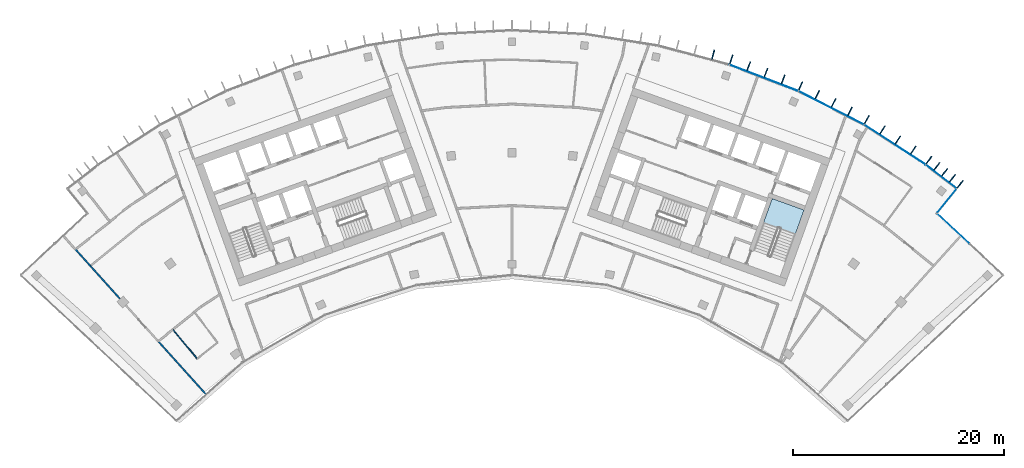
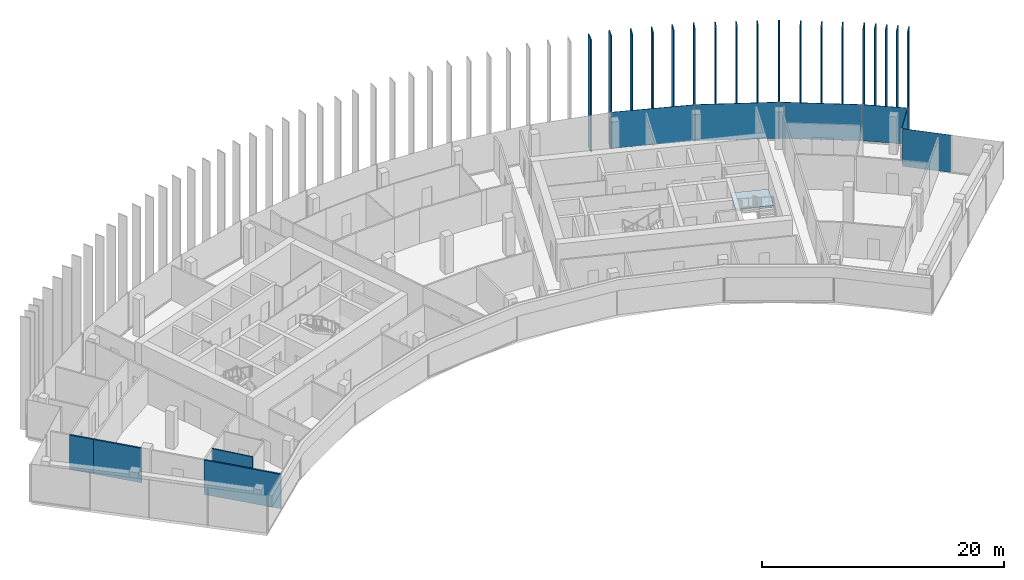
# One storey, part 12 of 18: 24 plates, 4 walls, 1 slab, 4 elements without a shape of their own.
"""IFC4 building model written with IfcOpenShell, lengths in metres."""

from ifc_helpers import new_model, si_unit, direction, frame, frame_2d, origin, origin_2d, place, context, subcontext, project, spatial, polyline, rectangle, outline, extrude, material, layer, layer_set, type_object, element, aggregate, save


model = new_model("IFC4")

# Units and contexts
model_context = context("Model", 3, precision=1e-05, world=origin(), true_north=direction((0.0, 1.0)))
body_context = subcontext(model_context, "Body", "Model", "MODEL_VIEW")
ifc_project = project(units=[si_unit("LENGTHUNIT", "METRE"), si_unit("AREAUNIT", "SQUARE_METRE"), si_unit("VOLUMEUNIT", "CUBIC_METRE"), si_unit("PLANEANGLEUNIT", "RADIAN"), si_unit("MASSUNIT", "GRAM", prefix="KILO")], contexts=[model_context])

# Site, building, storey
site_placement = place(None, origin())
site = spatial("IfcSite", under=ifc_project, at=site_placement, CompositionType="ELEMENT")
building_placement = place(site_placement, origin())
building = spatial("IfcBuilding", under=site, at=building_placement, Name="Stone Belt Terrace Tower", CompositionType="ELEMENT")
storey_placement = place(building_placement, frame((0.0, 0.0, 269.39990234375)))
storey = spatial("IfcBuildingStorey", under=building, at=storey_placement, Name="L65", CompositionType="ELEMENT", Elevation=269.39990234375)

# Curtain wall, plates
ifc_material_1 = material(Name="Aluminium 6063-T6 anodised frame", Category="aluminium")
ifc_layer_1 = layer(ifc_material_1, 0.14990234375)
ifc_layer_set_1 = layer_set([ifc_layer_1], Name="CW-A unitised convex-face curtain wall")
curtain_wall_type_1 = type_object("IfcCurtainWallType", Name="CW-A unitised convex-face curtain wall", PredefinedType="NOTDEFINED", material=ifc_layer_set_1)
curtain_wall_1_placement = place(storey_placement, origin())
curtain_wall_1 = element("IfcCurtainWall", 1, at=curtain_wall_1_placement, inside=storey, type_object=curtain_wall_type_1, Name="CW-A convex face L65", PredefinedType="NOTDEFINED")
ifc_material_2 = material(Name="Clear double glazed unit")
ifc_layer_2 = layer(ifc_material_2, 0.031982421875)
ifc_layer_set_2 = layer_set([ifc_layer_2], Name="CW-A glass panel 32")
plate_type_1 = type_object("IfcPlateType", Name="CW-A glass panel 32", PredefinedType="CURTAIN_PANEL", material=ifc_layer_set_2)
plate_1_placement = place(storey_placement, frame((40.583251953125, 52.744140625, 0.14013671875), z_axis=(0.0, 0.0, 1.0), x_axis=(-0.792693871824, 0.60961990254, 0.0)))
plate_1 = element("IfcPlate", 2, at=plate_1_placement, type_object=plate_type_1, Name="CW-A panel 1.1", PredefinedType="CURTAIN_PANEL", context=body_context, shape_type="SweptSolid", body=[
    extrude(rectangle(XDim=3.597900390625, YDim=0.031982421875, at=origin_2d()), origin(), (0.0, 0.0, 1.0), 3.659912109375),
])
plate_2_placement = place(storey_placement, frame((36.209716796875, 55.758056640625, 0.14013671875), z_axis=(0.0, 0.0, 1.0), x_axis=(-0.838670567945, 0.544639035015, 0.0)))
plate_2 = element("IfcPlate", 3, at=plate_2_placement, type_object=plate_type_1, Name="CW-A panel 2.1", PredefinedType="CURTAIN_PANEL", context=body_context, shape_type="SweptSolid", body=[
    extrude(rectangle(XDim=6.900634765625, YDim=0.031982421875, at=origin_2d()), origin(), (0.0, 0.0, 1.0), 3.659912109375),
])
plate_3_placement = place(storey_placement, frame((30.18310546875, 59.237548828125, 0.14013671875), z_axis=(0.0, 0.0, 1.0), x_axis=(-0.891006524188, 0.45399049974, 0.0)))
plate_3 = element("IfcPlate", 4, at=plate_3_placement, type_object=plate_type_1, Name="CW-A panel 3.1", PredefinedType="CURTAIN_PANEL", context=body_context, shape_type="SweptSolid", body=[
    extrude(rectangle(XDim=6.90087890625, YDim=0.031982421875, at=origin_2d()), origin(), (0.0, 0.0, 1.0), 3.659912109375),
])
plate_4_placement = place(storey_placement, frame((23.82568359375, 62.068115234375, 0.14013671875), z_axis=(0.0, 0.0, 1.0), x_axis=(-0.933580426497, 0.358367949545, 0.0)))
plate_4 = element("IfcPlate", 5, at=plate_4_placement, type_object=plate_type_1, Name="CW-A panel 4.1", PredefinedType="CURTAIN_PANEL", context=body_context, shape_type="SweptSolid", body=[
    extrude(rectangle(XDim=6.90087890625, YDim=0.031982421875, at=origin_2d()), origin(), (0.0, 0.0, 1.0), 3.659912109375),
])
aggregate(curtain_wall_1, [plate_1, plate_2, plate_3, plate_4])

# Curtain wall, plate
ifc_layer_3 = layer(ifc_material_1, 0.14990234375)
ifc_layer_set_3 = layer_set([ifc_layer_3], Name="CW-C stick curtain wall, horn ends and notches")
curtain_wall_type_2 = type_object("IfcCurtainWallType", Name="CW-C stick curtain wall, horn ends and notches", PredefinedType="NOTDEFINED", material=ifc_layer_set_3)
curtain_wall_2_placement = place(storey_placement, origin())
curtain_wall_2 = element("IfcCurtainWall", 6, at=curtain_wall_2_placement, inside=storey, type_object=curtain_wall_type_2, Name="CW-C notch face L65", PredefinedType="NOTDEFINED")
ifc_layer_4 = layer(ifc_material_2, 0.028076171875)
ifc_layer_set_4 = layer_set([ifc_layer_4], Name="CW-C glass panel 28")
plate_type_2 = type_object("IfcPlateType", Name="CW-C glass panel 28", PredefinedType="CURTAIN_PANEL", material=ifc_layer_set_4)
plate_5_placement = place(storey_placement, frame((41.731201171875, 47.814208984375, 0.0), z_axis=(0.0, 0.0, 1.0), x_axis=(-0.731339333871, 0.682013767261, 0.0)))
plate_5 = element("IfcPlate", 7, at=plate_5_placement, type_object=plate_type_2, Name="CW-C panel 2.1", PredefinedType="CURTAIN_PANEL", context=body_context, shape_type="SweptSolid", body=[
    extrude(rectangle(XDim=4.12060546875, YDim=0.028076171875, at=origin_2d()), origin(), (0.0, 0.0, 1.0), 3.800048828125),
])
aggregate(curtain_wall_2, [plate_5])

curtain_wall_3_placement = place(storey_placement, origin())
curtain_wall_3 = element("IfcCurtainWall", 8, at=curtain_wall_3_placement, inside=storey, type_object=curtain_wall_type_2, Name="CW-C notch face L65", PredefinedType="NOTDEFINED")
plate_6_placement = place(storey_placement, frame((41.119140625, 50.43505859375, 0.1201171875), z_axis=(0.0, 0.0, 1.0), x_axis=(0.631001485542, 0.775781622136, 0.0)))
plate_6 = element("IfcPlate", 9, at=plate_6_placement, type_object=plate_type_2, Name="CW-C panel 1.1", PredefinedType="CURTAIN_PANEL", context=body_context, shape_type="SweptSolid", body=[
    extrude(rectangle(XDim=2.859130859375, YDim=0.028076171875, at=origin_2d()), origin(), (0.0, 0.0, 1.0), 3.679931640625),
])
aggregate(curtain_wall_3, [plate_6])

# Stair, slab
ifc_material_3 = material(Name="Concrete B40", Category="concrete")
stair_type = type_object("IfcStairType", Name="Exit stair 1500", PredefinedType="HALF_TURN_STAIR", material=ifc_material_3)
stair_placement = place(storey_placement, origin())
stair = element("IfcStair", 10, at=stair_placement, inside=storey, type_object=stair_type, Name="L65 Exit stair 1 core B", PredefinedType="HALF_TURN_STAIR")
ifc_layer_5 = layer(ifc_material_3, 0.199951171875)
ifc_layer_set_5 = layer_set([ifc_layer_5], Name="Stair landing 200")
slab_type = type_object("IfcSlabType", Name="Stair landing 200", PredefinedType="LANDING", material=ifc_layer_set_5)
slab_placement = place(storey_placement, frame((0.0, 0.0, 1.7001953125)))
slab = element("IfcSlab", 11, at=slab_placement, type_object=slab_type, Name="ST1B landing 1", PredefinedType="LANDING", context=body_context, shape_type="SweptSolid", body=[
    extrude(outline(polyline([(26.806396484375, 47.3173828125), (27.619384765625, 49.576171875), (24.6083984375, 50.659912109375), (23.79541015625, 48.40087890625), (26.806396484375, 47.3173828125)])), origin(), (0.0, 0.0, 1.0), 0.199951171875),
])
aggregate(stair, [slab])

# Plates
ifc_material_4 = material(Name="Terracotta coloured glazed ceramic", Category="masonry")
ifc_layer_6 = layer(ifc_material_4, 0.10009765625)
ifc_layer_set_6 = layer_set([ifc_layer_6], Name="Terracotta fin 100 x 900")
plate_type_3 = type_object("IfcPlateType", Name="Terracotta fin 100 x 900", PredefinedType="SHEET", material=ifc_layer_set_6)
for number, where, z_axis, x_axis, name in (
    (12, (42.388427734375, 52.01806640625, 0.000244140625), (0.0, 0.0, 1.0), (0.60961990254, 0.792693871824, 0.0), "FIN L65 1.1"),
    (13, (41.654052734375, 52.582763671875, 0.000244140625), (0.0, 0.0, 1.0), (0.60961990254, 0.792693871824, 0.0), "FIN L65 1.2"),
    (14, (40.919677734375, 53.147705078125, 0.000244140625), (0.0, 0.0, 1.0), (0.60961990254, 0.792693871824, 0.0), "FIN L65 1.3"),
    (15, (40.185546875, 53.71240234375, 0.000244140625), (0.0, 0.0, 1.0), (0.60961990254, 0.792693871824, 0.0), "FIN L65 1.4"),
    (16, (39.434326171875, 54.28955078125, 0.000244140625), (0.0, 0.0, 1.0), (0.577587125789, 0.816329046477, 0.0), "FIN L65 2.1"),
    (17, (37.9560546875, 55.25, 0.000244140625), (0.0, 0.0, 1.0), (0.544639035015, 0.838670567945, 0.0), "FIN L65 2.2"),
    (18, (36.495361328125, 56.19873046875, 0.000244140625), (0.0, 0.0, 1.0), (0.544639035015, 0.838670567945, 0.0), "FIN L65 2.3"),
    (19, (35.034423828125, 57.147216796875, 0.000244140625), (0.0, 0.0, 1.0), (0.544639035015, 0.838670567945, 0.0), "FIN L65 2.4"),
    (20, (33.550048828125, 58.1103515625, 0.000244140625), (0.0, 0.0, 1.0), (0.5, 0.866025403784, 0.0), "FIN L65 3.1"),
    (21, (31.9736328125, 58.914306640625, 0.000244140625), (0.0, 0.0, 1.0), (0.45399049974, 0.891006524188, 0.0), "FIN L65 3.2"),
    (22, (30.42138671875, 59.705322265625, 0.000244140625), (0.0, 0.0, 1.0), (0.45399049974, 0.891006524188, 0.0), "FIN L65 3.3"),
    (23, (28.869140625, 60.496337890625, 0.000244140625), (0.0, 0.0, 1.0), (0.45399049974, 0.891006524188, 0.0), "FIN L65 3.4"),
    (24, (27.2919921875, 61.299072265625, 0.000244140625), (0.0, 0.0, 1.0), (0.406736643076, 0.913545457643, 0.0), "FIN L65 4.1"),
    (25, (25.64013671875, 61.933837890625, 0.000244140625), (0.0, 0.0, 1.0), (0.358367949545, 0.933580426497, 0.0), "FIN L65 4.2"),
    (26, (24.013916015625, 62.55810546875, 0.000244140625), (0.0, 0.0, 1.0), (0.358367949545, 0.933580426497, 0.0), "FIN L65 4.3"),
    (27, (22.387451171875, 63.182373046875, 0.000244140625), (0.0, 0.0, 1.0), (0.358367949545, 0.933580426497, 0.0), "FIN L65 4.4"),
    (28, (20.735107421875, 63.81591796875, 0.000244140625), (0.0, 0.0, 1.0), (0.309016994375, 0.951056516295, 0.0), "FIN L65 5.1"),
    (29, (19.02587890625, 64.274658203125, 0.000244140625), (0.0, 0.0, 1.0), (0.258819045103, 0.965925826289, 0.0), "FIN L65 5.2"),
):
    element("IfcPlate", number, at=place(storey_placement, frame(where, z_axis=z_axis, x_axis=x_axis)), inside=storey, type_object=plate_type_3, Name=name, PredefinedType="SHEET", context=body_context, shape_type="SweptSolid", body=[
        extrude(rectangle(XDim=0.89990234375, YDim=0.10009765625, at=origin_2d()), origin(), (0.0, 0.0, 1.0), 11.39990234375),
    ])

# Walls
ifc_material_5 = material(Name="Gypsum board partition")
ifc_layer_7 = layer(ifc_material_5, 0.10009765625)
ifc_layer_set_7 = layer_set([ifc_layer_7], Name="PARTITION 100")
wall_type_1 = type_object("IfcWallType", Name="PARTITION 100", PredefinedType="PARTITIONING", material=ifc_layer_set_7)
wall_1_placement = place(storey_placement, frame((-32.08203125, 38.27001953125, 0.0), z_axis=(0.0, 0.0, 1.0), x_axis=(0.642365389825, -0.766398529458, 0.0)))
element("IfcWall", 30, at=wall_1_placement, inside=storey, type_object=wall_type_1, Name="L65/wall/i047", PredefinedType="PARTITIONING", context=body_context, shape_type="SweptSolid", body=[
    extrude(rectangle(XDim=3.59619140625, YDim=0.10009765625, at=frame_2d((1.798095703125, 0.0))), origin(), (0.0, 0.0, 1.0), 3.47998046875),
])
ifc_layer_8 = layer(ifc_material_5, 0.14990234375)
ifc_layer_set_8 = layer_set([ifc_layer_8], Name="PARTITION 150 EI 60")
wall_type_2 = type_object("IfcWallType", Name="PARTITION 150 EI 60", PredefinedType="PARTITIONING", material=ifc_layer_set_8)
wall_2_placement = place(storey_placement, frame((-33.4609375, 37.160888671875, 0.0), z_axis=(0.0, 0.0, 1.0), x_axis=(0.669149941442, -0.743127415635, 0.0)))
element("IfcWall", 31, at=wall_2_placement, inside=storey, type_object=wall_type_2, Name="L65/wall/i042", PredefinedType="PARTITIONING", context=body_context, shape_type="SweptSolid", body=[
    extrude(rectangle(XDim=6.699462890625, YDim=0.14990234375, at=frame_2d((3.349609375, 0.0))), origin(), (0.0, 0.0, 1.0), 3.47998046875),
])
wall_3_placement = place(storey_placement, frame((-41.282958984375, 45.84912109375, 0.0), z_axis=(0.0, 0.0, 1.0), x_axis=(0.668983971607, -0.743276829811, 0.0)))
element("IfcWall", 32, at=wall_3_placement, inside=storey, type_object=wall_type_2, Name="L65/wall/i043", PredefinedType="PARTITIONING", context=body_context, shape_type="SweptSolid", body=[
    extrude(rectangle(XDim=2.103271484375, YDim=0.14990234375, at=frame_2d((1.0517578125, 0.0))), origin(), (0.0, 0.0, 1.0), 3.47998046875),
])
wall_4_placement = place(storey_placement, frame((-39.884033203125, 44.294921875, 0.0), z_axis=(0.0, 0.0, 1.0), x_axis=(0.669123017422, -0.743151658517, 0.0)))
element("IfcWall", 33, at=wall_4_placement, inside=storey, type_object=wall_type_2, Name="L65/wall/i045", PredefinedType="PARTITIONING", context=body_context, shape_type="SweptSolid", body=[
    extrude(rectangle(XDim=4.175048828125, YDim=0.14990234375, at=frame_2d((2.08740234375, 0.0))), origin(), (0.0, 0.0, 1.0), 3.47998046875),
])

save(model, "model.ifc")
